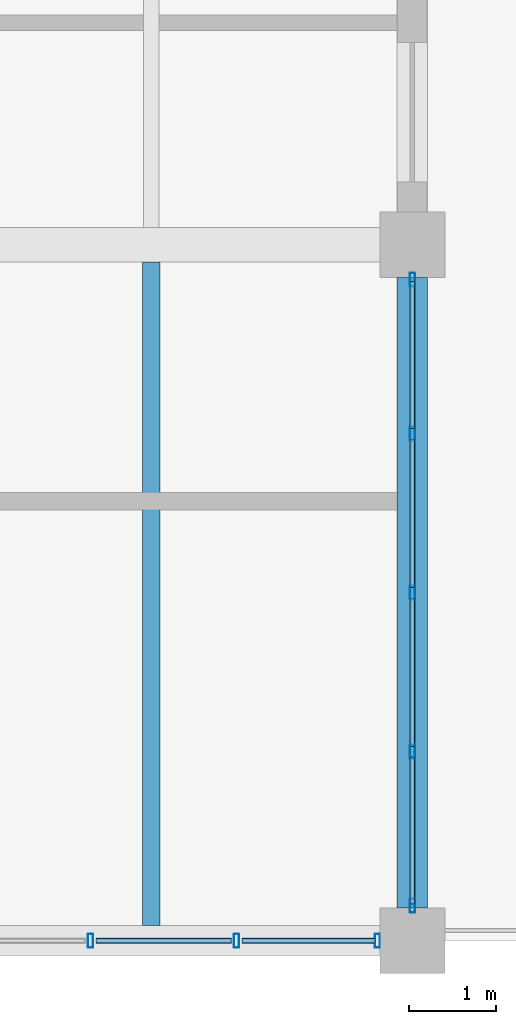
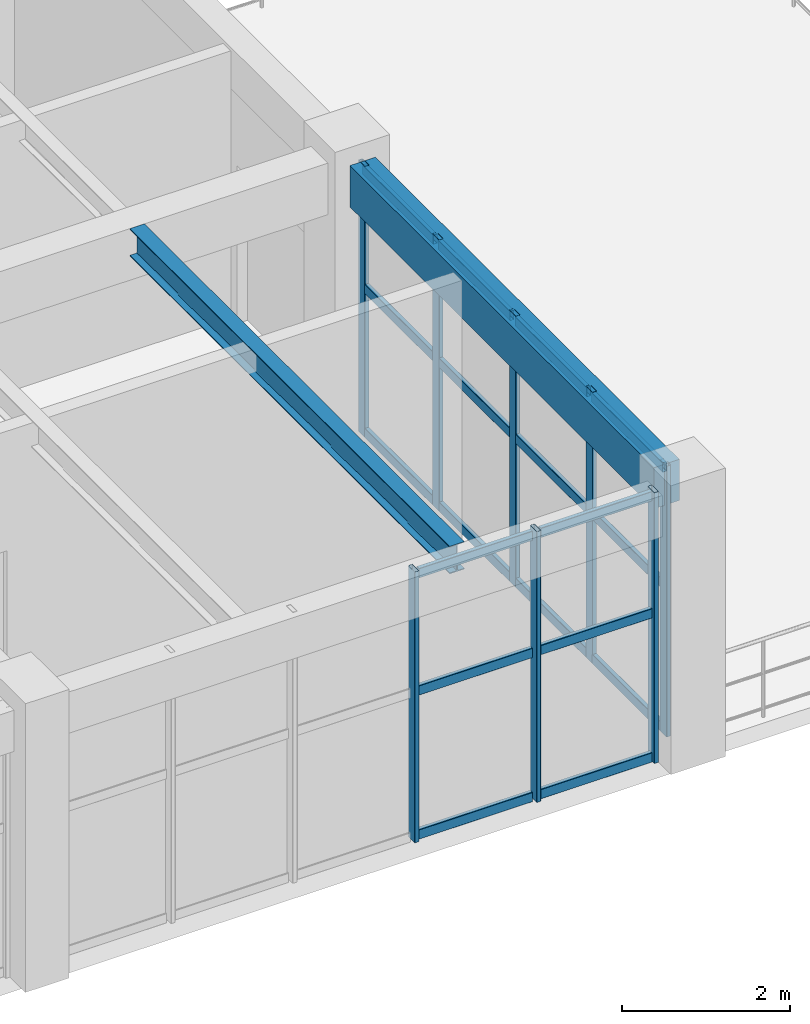
# One storey, part 23 of 148: 26 members, 2 beams, 2 elements without a shape of their own.
"""IFC4 building model written with IfcOpenShell, lengths in metres."""

from ifc_helpers import new_model, si_unit, derived_unit, direction, frame, origin, origin_2d, place, context, subcontext, project, spatial, rectangle, hollow_rectangle, i_section, extrude, material, material_profile, profile_set, type_object, element, aggregate, save


model = new_model("IFC4")

# Units and contexts
model_context = context("Model", 3, precision=1e-05, world=origin(), true_north=direction((0.0, 1.0)))
body_context = subcontext(model_context, "Body", "Model", "MODEL_VIEW")
ifc_project = project(units=[si_unit("LENGTHUNIT", "METRE"), si_unit("AREAUNIT", "SQUARE_METRE"), si_unit("VOLUMEUNIT", "CUBIC_METRE"), si_unit("PLANEANGLEUNIT", "RADIAN"), si_unit("MASSUNIT", "GRAM", prefix="KILO"), derived_unit("THERMALTRANSMITTANCEUNIT", [(si_unit("MASSUNIT", "GRAM", prefix="KILO"), 1), (si_unit("TIMEUNIT", "SECOND"), -3), (si_unit("THERMODYNAMICTEMPERATUREUNIT", "KELVIN"), -1)])], contexts=[model_context])

# Site, building, storey
site_placement = place(None, origin())
site = spatial("IfcSite", under=ifc_project, at=site_placement, CompositionType="ELEMENT")
building_placement = place(site_placement, origin())
building = spatial("IfcBuilding", under=site, at=building_placement, Name="Zhenchuan Archway Interchange", CompositionType="ELEMENT")
storey_placement = place(building_placement, frame((0.0, 0.0, 10.199951171875)))
storey = spatial("IfcBuildingStorey", under=building, at=storey_placement, Name="L02", CompositionType="ELEMENT", Elevation=10.199951171875)

# Curtain wall, members
ifc_material_1 = material(Name="Anodised Aluminium", Category="aluminium")
curtain_wall_type_1 = type_object("IfcCurtainWallType", Name="CW_UNIT_2", PredefinedType="NOTDEFINED", material=ifc_material_1)
curtain_wall_1_placement = place(storey_placement, origin())
curtain_wall_1 = element("IfcCurtainWall", 1, at=curtain_wall_1_placement, inside=storey, type_object=curtain_wall_type_1, Name="Unitised curtain wall CW:L02:105", PredefinedType="NOTDEFINED")
ifc_material_profile_1 = material_profile(ifc_material_1, hollow_rectangle(XDim=0.06005859375, YDim=0.159912109375, WallThickness=0.00390625, InnerFilletRadius=0.00390625, OuterFilletRadius=0.008056640625, at=origin_2d()), Name="ALU 160x60x4")
ifc_profile_set_1 = profile_set([ifc_material_profile_1], Name="Anodised Aluminium")
member_type_1 = type_object("IfcMemberType", Name="CW_MUL_150", PredefinedType="MULLION", material=ifc_profile_set_1)
member_1_placement = place(storey_placement, frame((35.596923828125, 0.0, 0.0), z_axis=(0.0, 0.0, 1.0), x_axis=(1.0, 0.0, 0.0)))
member_1 = element("IfcMember", 2, at=member_1_placement, type_object=member_type_1, Name="CW:L02:105 mullion 0", PredefinedType="MULLION", context=body_context, shape_type="SweptSolid", body=[
    extrude(hollow_rectangle(XDim=0.06005859375, YDim=0.159912109375, WallThickness=0.00390625, InnerFilletRadius=0.00390625, OuterFilletRadius=0.008056640625, at=origin_2d()), origin(), (0.0, 0.0, 1.0), 3.93994140625),
])
member_2_placement = place(storey_placement, frame((33.979248046875, 0.0, 0.0), z_axis=(0.0, 0.0, 1.0), x_axis=(1.0, 0.0, 0.0)))
member_2 = element("IfcMember", 3, at=member_2_placement, type_object=member_type_1, Name="CW:L02:105 mullion 1", PredefinedType="MULLION", context=body_context, shape_type="SweptSolid", body=[
    extrude(hollow_rectangle(XDim=0.06005859375, YDim=0.159912109375, WallThickness=0.00390625, InnerFilletRadius=0.00390625, OuterFilletRadius=0.008056640625, at=origin_2d()), origin(), (0.0, 0.0, 1.0), 3.93994140625),
])
member_3_placement = place(storey_placement, frame((32.301513671875, 0.0, 0.0), z_axis=(0.0, 0.0, 1.0), x_axis=(1.0, 0.0, 0.0)))
member_3 = element("IfcMember", 4, at=member_3_placement, type_object=member_type_1, Name="CW:L02:105 mullion 2", PredefinedType="MULLION", context=body_context, shape_type="SweptSolid", body=[
    extrude(hollow_rectangle(XDim=0.06005859375, YDim=0.159912109375, WallThickness=0.00390625, InnerFilletRadius=0.00390625, OuterFilletRadius=0.008056640625, at=origin_2d()), origin(), (0.0, 0.0, 1.0), 3.93994140625),
])

curtain_wall_type_2 = type_object("IfcCurtainWallType", Name="CW_UNIT_4", PredefinedType="NOTDEFINED", material=ifc_material_1)
curtain_wall_2_placement = place(storey_placement, origin())
curtain_wall_2 = element("IfcCurtainWall", 5, at=curtain_wall_2_placement, inside=storey, type_object=curtain_wall_type_2, Name="Unitised curtain wall CW:L02:115", PredefinedType="NOTDEFINED")
member_4_placement = place(storey_placement, frame((36.0, 7.596923828125, 0.0), z_axis=(0.0, 0.0, 1.0), x_axis=(1.0, 0.0, 0.0)))
member_4 = element("IfcMember", 6, at=member_4_placement, type_object=member_type_1, Name="CW:L02:115 mullion 0", PredefinedType="MULLION", context=body_context, shape_type="SweptSolid", body=[
    extrude(hollow_rectangle(XDim=0.06005859375, YDim=0.159912109375, WallThickness=0.00390625, InnerFilletRadius=0.00390625, OuterFilletRadius=0.008056640625, at=origin_2d()), origin(), (0.0, 0.0, 1.0), 3.93994140625),
])
member_5_placement = place(storey_placement, frame((36.0, 5.82861328125, 0.0), z_axis=(0.0, 0.0, 1.0), x_axis=(1.0, 0.0, 0.0)))
member_5 = element("IfcMember", 7, at=member_5_placement, type_object=member_type_1, Name="CW:L02:115 mullion 1", PredefinedType="MULLION", context=body_context, shape_type="SweptSolid", body=[
    extrude(hollow_rectangle(XDim=0.06005859375, YDim=0.159912109375, WallThickness=0.00390625, InnerFilletRadius=0.00390625, OuterFilletRadius=0.008056640625, at=origin_2d()), origin(), (0.0, 0.0, 1.0), 3.93994140625),
])
member_6_placement = place(storey_placement, frame((36.0, 4.0, 0.0), z_axis=(0.0, 0.0, 1.0), x_axis=(1.0, 0.0, 0.0)))
member_6 = element("IfcMember", 8, at=member_6_placement, type_object=member_type_1, Name="CW:L02:115 mullion 2", PredefinedType="MULLION", context=body_context, shape_type="SweptSolid", body=[
    extrude(hollow_rectangle(XDim=0.06005859375, YDim=0.159912109375, WallThickness=0.00390625, InnerFilletRadius=0.00390625, OuterFilletRadius=0.008056640625, at=origin_2d()), origin(), (0.0, 0.0, 1.0), 3.93994140625),
])
member_7_placement = place(storey_placement, frame((36.0, 2.17138671875, 0.0), z_axis=(0.0, 0.0, 1.0), x_axis=(1.0, 0.0, 0.0)))
member_7 = element("IfcMember", 9, at=member_7_placement, type_object=member_type_1, Name="CW:L02:115 mullion 3", PredefinedType="MULLION", context=body_context, shape_type="SweptSolid", body=[
    extrude(hollow_rectangle(XDim=0.06005859375, YDim=0.159912109375, WallThickness=0.00390625, InnerFilletRadius=0.00390625, OuterFilletRadius=0.008056640625, at=origin_2d()), origin(), (0.0, 0.0, 1.0), 3.93994140625),
])
member_8_placement = place(storey_placement, frame((36.0, 0.403076171875, 0.0), z_axis=(0.0, 0.0, 1.0), x_axis=(1.0, 0.0, 0.0)))
member_8 = element("IfcMember", 10, at=member_8_placement, type_object=member_type_1, Name="CW:L02:115 mullion 4", PredefinedType="MULLION", context=body_context, shape_type="SweptSolid", body=[
    extrude(hollow_rectangle(XDim=0.06005859375, YDim=0.159912109375, WallThickness=0.00390625, InnerFilletRadius=0.00390625, OuterFilletRadius=0.008056640625, at=origin_2d()), origin(), (0.0, 0.0, 1.0), 3.93994140625),
])

# Member
ifc_material_profile_2 = material_profile(ifc_material_1, hollow_rectangle(XDim=0.06005859375, YDim=0.139892578125, WallThickness=0.00341796875, InnerFilletRadius=0.00341796875, OuterFilletRadius=0.007080078125, at=origin_2d()), Name="ALU 140x60x3.5")
ifc_profile_set_2 = profile_set([ifc_material_profile_2], Name="Anodised Aluminium")
member_type_2 = type_object("IfcMemberType", Name="CW_TRN_140", PredefinedType="USERDEFINED", material=ifc_profile_set_2)
member_9_placement = place(storey_placement, frame((35.576904296875, 0.0, 0.06005859375), z_axis=(-1.0, 0.0, 0.0), x_axis=(0.0, -1.0, 0.0)))
member_9 = element("IfcMember", 11, at=member_9_placement, type_object=member_type_2, Name="CW:L02:105 transom 0-1", ObjectType="TRANSOM", PredefinedType="USERDEFINED", context=body_context, shape_type="SweptSolid", body=[
    extrude(hollow_rectangle(XDim=0.06005859375, YDim=0.139892578125, WallThickness=0.00341796875, InnerFilletRadius=0.00341796875, OuterFilletRadius=0.007080078125, at=origin_2d()), origin(), (0.0, 0.0, 1.0), 1.53759765625),
])

member_10_placement = place(storey_placement, frame((35.576904296875, 0.0, 2.156005859375), z_axis=(-1.0, 0.0, 0.0), x_axis=(0.0, -1.0, 0.0)))
member_10 = element("IfcMember", 12, at=member_10_placement, type_object=member_type_2, Name="CW:L02:105 transom 0-2", ObjectType="TRANSOM", PredefinedType="USERDEFINED", context=body_context, shape_type="SweptSolid", body=[
    extrude(hollow_rectangle(XDim=0.06005859375, YDim=0.139892578125, WallThickness=0.00341796875, InnerFilletRadius=0.00341796875, OuterFilletRadius=0.007080078125, at=origin_2d()), origin(), (0.0, 0.0, 1.0), 1.53759765625),
])

member_11_placement = place(storey_placement, frame((35.576904296875, 0.0, 3.860107421875), z_axis=(-1.0, 0.0, 0.0), x_axis=(0.0, -1.0, 0.0)))
member_11 = element("IfcMember", 13, at=member_11_placement, type_object=member_type_2, Name="CW:L02:105 transom 0-3", ObjectType="TRANSOM", PredefinedType="USERDEFINED", context=body_context, shape_type="SweptSolid", body=[
    extrude(hollow_rectangle(XDim=0.06005859375, YDim=0.139892578125, WallThickness=0.00341796875, InnerFilletRadius=0.00341796875, OuterFilletRadius=0.007080078125, at=origin_2d()), origin(), (0.0, 0.0, 1.0), 1.53759765625),
])

member_12_placement = place(storey_placement, frame((33.919189453125, 0.0, 0.06005859375), z_axis=(-1.0, 0.0, 0.0), x_axis=(0.0, -1.0, 0.0)))
member_12 = element("IfcMember", 14, at=member_12_placement, type_object=member_type_2, Name="CW:L02:105 transom 1-1", ObjectType="TRANSOM", PredefinedType="USERDEFINED", context=body_context, shape_type="SweptSolid", body=[
    extrude(hollow_rectangle(XDim=0.06005859375, YDim=0.139892578125, WallThickness=0.00341796875, InnerFilletRadius=0.00341796875, OuterFilletRadius=0.007080078125, at=origin_2d()), origin(), (0.0, 0.0, 1.0), 1.557861328125),
])

member_13_placement = place(storey_placement, frame((33.919189453125, 0.0, 2.156005859375), z_axis=(-1.0, 0.0, 0.0), x_axis=(0.0, -1.0, 0.0)))
member_13 = element("IfcMember", 15, at=member_13_placement, type_object=member_type_2, Name="CW:L02:105 transom 1-2", ObjectType="TRANSOM", PredefinedType="USERDEFINED", context=body_context, shape_type="SweptSolid", body=[
    extrude(hollow_rectangle(XDim=0.06005859375, YDim=0.139892578125, WallThickness=0.00341796875, InnerFilletRadius=0.00341796875, OuterFilletRadius=0.007080078125, at=origin_2d()), origin(), (0.0, 0.0, 1.0), 1.557861328125),
])

member_14_placement = place(storey_placement, frame((33.919189453125, 0.0, 3.860107421875), z_axis=(-1.0, 0.0, 0.0), x_axis=(0.0, -1.0, 0.0)))
member_14 = element("IfcMember", 16, at=member_14_placement, type_object=member_type_2, Name="CW:L02:105 transom 1-3", ObjectType="TRANSOM", PredefinedType="USERDEFINED", context=body_context, shape_type="SweptSolid", body=[
    extrude(hollow_rectangle(XDim=0.06005859375, YDim=0.139892578125, WallThickness=0.00341796875, InnerFilletRadius=0.00341796875, OuterFilletRadius=0.007080078125, at=origin_2d()), origin(), (0.0, 0.0, 1.0), 1.557861328125),
])

aggregate(curtain_wall_1, [member_1, member_2, member_3, member_9, member_10, member_11, member_12, member_13, member_14])

member_15_placement = place(storey_placement, frame((36.0, 7.576904296875, 0.06005859375), z_axis=(0.0, -1.0, 0.0), x_axis=(1.0, 0.0, 0.0)))
member_15 = element("IfcMember", 17, at=member_15_placement, type_object=member_type_2, Name="CW:L02:115 transom 0-1", ObjectType="TRANSOM", PredefinedType="USERDEFINED", context=body_context, shape_type="SweptSolid", body=[
    extrude(hollow_rectangle(XDim=0.06005859375, YDim=0.139892578125, WallThickness=0.00341796875, InnerFilletRadius=0.00341796875, OuterFilletRadius=0.007080078125, at=origin_2d()), origin(), (0.0, 0.0, 1.0), 1.6884765625),
])

member_16_placement = place(storey_placement, frame((36.0, 7.576904296875, 2.156005859375), z_axis=(0.0, -1.0, 0.0), x_axis=(1.0, 0.0, 0.0)))
member_16 = element("IfcMember", 18, at=member_16_placement, type_object=member_type_2, Name="CW:L02:115 transom 0-2", ObjectType="TRANSOM", PredefinedType="USERDEFINED", context=body_context, shape_type="SweptSolid", body=[
    extrude(hollow_rectangle(XDim=0.06005859375, YDim=0.139892578125, WallThickness=0.00341796875, InnerFilletRadius=0.00341796875, OuterFilletRadius=0.007080078125, at=origin_2d()), origin(), (0.0, 0.0, 1.0), 1.6884765625),
])

member_17_placement = place(storey_placement, frame((36.0, 7.576904296875, 3.860107421875), z_axis=(0.0, -1.0, 0.0), x_axis=(1.0, 0.0, 0.0)))
member_17 = element("IfcMember", 19, at=member_17_placement, type_object=member_type_2, Name="CW:L02:115 transom 0-3", ObjectType="TRANSOM", PredefinedType="USERDEFINED", context=body_context, shape_type="SweptSolid", body=[
    extrude(hollow_rectangle(XDim=0.06005859375, YDim=0.139892578125, WallThickness=0.00341796875, InnerFilletRadius=0.00341796875, OuterFilletRadius=0.007080078125, at=origin_2d()), origin(), (0.0, 0.0, 1.0), 1.6884765625),
])

member_18_placement = place(storey_placement, frame((36.0, 5.7685546875, 0.06005859375), z_axis=(0.0, -1.0, 0.0), x_axis=(1.0, 0.0, 0.0)))
member_18 = element("IfcMember", 20, at=member_18_placement, type_object=member_type_2, Name="CW:L02:115 transom 1-1", ObjectType="TRANSOM", PredefinedType="USERDEFINED", context=body_context, shape_type="SweptSolid", body=[
    extrude(hollow_rectangle(XDim=0.06005859375, YDim=0.139892578125, WallThickness=0.00341796875, InnerFilletRadius=0.00341796875, OuterFilletRadius=0.007080078125, at=origin_2d()), origin(), (0.0, 0.0, 1.0), 1.70849609375),
])

member_19_placement = place(storey_placement, frame((36.0, 5.7685546875, 2.156005859375), z_axis=(0.0, -1.0, 0.0), x_axis=(1.0, 0.0, 0.0)))
member_19 = element("IfcMember", 21, at=member_19_placement, type_object=member_type_2, Name="CW:L02:115 transom 1-2", ObjectType="TRANSOM", PredefinedType="USERDEFINED", context=body_context, shape_type="SweptSolid", body=[
    extrude(hollow_rectangle(XDim=0.06005859375, YDim=0.139892578125, WallThickness=0.00341796875, InnerFilletRadius=0.00341796875, OuterFilletRadius=0.007080078125, at=origin_2d()), origin(), (0.0, 0.0, 1.0), 1.70849609375),
])

member_20_placement = place(storey_placement, frame((36.0, 5.7685546875, 3.860107421875), z_axis=(0.0, -1.0, 0.0), x_axis=(1.0, 0.0, 0.0)))
member_20 = element("IfcMember", 22, at=member_20_placement, type_object=member_type_2, Name="CW:L02:115 transom 1-3", ObjectType="TRANSOM", PredefinedType="USERDEFINED", context=body_context, shape_type="SweptSolid", body=[
    extrude(hollow_rectangle(XDim=0.06005859375, YDim=0.139892578125, WallThickness=0.00341796875, InnerFilletRadius=0.00341796875, OuterFilletRadius=0.007080078125, at=origin_2d()), origin(), (0.0, 0.0, 1.0), 1.70849609375),
])

member_21_placement = place(storey_placement, frame((36.0, 3.93994140625, 0.06005859375), z_axis=(0.0, -1.0, 0.0), x_axis=(1.0, 0.0, 0.0)))
member_21 = element("IfcMember", 23, at=member_21_placement, type_object=member_type_2, Name="CW:L02:115 transom 2-1", ObjectType="TRANSOM", PredefinedType="USERDEFINED", context=body_context, shape_type="SweptSolid", body=[
    extrude(hollow_rectangle(XDim=0.06005859375, YDim=0.139892578125, WallThickness=0.00341796875, InnerFilletRadius=0.00341796875, OuterFilletRadius=0.007080078125, at=origin_2d()), origin(), (0.0, 0.0, 1.0), 1.70849609375),
])

member_22_placement = place(storey_placement, frame((36.0, 3.93994140625, 2.156005859375), z_axis=(0.0, -1.0, 0.0), x_axis=(1.0, 0.0, 0.0)))
member_22 = element("IfcMember", 24, at=member_22_placement, type_object=member_type_2, Name="CW:L02:115 transom 2-2", ObjectType="TRANSOM", PredefinedType="USERDEFINED", context=body_context, shape_type="SweptSolid", body=[
    extrude(hollow_rectangle(XDim=0.06005859375, YDim=0.139892578125, WallThickness=0.00341796875, InnerFilletRadius=0.00341796875, OuterFilletRadius=0.007080078125, at=origin_2d()), origin(), (0.0, 0.0, 1.0), 1.70849609375),
])

member_23_placement = place(storey_placement, frame((36.0, 3.93994140625, 3.860107421875), z_axis=(0.0, -1.0, 0.0), x_axis=(1.0, 0.0, 0.0)))
member_23 = element("IfcMember", 25, at=member_23_placement, type_object=member_type_2, Name="CW:L02:115 transom 2-3", ObjectType="TRANSOM", PredefinedType="USERDEFINED", context=body_context, shape_type="SweptSolid", body=[
    extrude(hollow_rectangle(XDim=0.06005859375, YDim=0.139892578125, WallThickness=0.00341796875, InnerFilletRadius=0.00341796875, OuterFilletRadius=0.007080078125, at=origin_2d()), origin(), (0.0, 0.0, 1.0), 1.70849609375),
])

member_24_placement = place(storey_placement, frame((36.0, 2.111572265625, 0.06005859375), z_axis=(0.0, -1.0, 0.0), x_axis=(1.0, 0.0, 0.0)))
member_24 = element("IfcMember", 26, at=member_24_placement, type_object=member_type_2, Name="CW:L02:115 transom 3-1", ObjectType="TRANSOM", PredefinedType="USERDEFINED", context=body_context, shape_type="SweptSolid", body=[
    extrude(hollow_rectangle(XDim=0.06005859375, YDim=0.139892578125, WallThickness=0.00341796875, InnerFilletRadius=0.00341796875, OuterFilletRadius=0.007080078125, at=origin_2d()), origin(), (0.0, 0.0, 1.0), 1.6884765625),
])

member_25_placement = place(storey_placement, frame((36.0, 2.111572265625, 2.156005859375), z_axis=(0.0, -1.0, 0.0), x_axis=(1.0, 0.0, 0.0)))
member_25 = element("IfcMember", 27, at=member_25_placement, type_object=member_type_2, Name="CW:L02:115 transom 3-2", ObjectType="TRANSOM", PredefinedType="USERDEFINED", context=body_context, shape_type="SweptSolid", body=[
    extrude(hollow_rectangle(XDim=0.06005859375, YDim=0.139892578125, WallThickness=0.00341796875, InnerFilletRadius=0.00341796875, OuterFilletRadius=0.007080078125, at=origin_2d()), origin(), (0.0, 0.0, 1.0), 1.6884765625),
])

member_26_placement = place(storey_placement, frame((36.0, 2.111572265625, 3.860107421875), z_axis=(0.0, -1.0, 0.0), x_axis=(1.0, 0.0, 0.0)))
member_26 = element("IfcMember", 28, at=member_26_placement, type_object=member_type_2, Name="CW:L02:115 transom 3-3", ObjectType="TRANSOM", PredefinedType="USERDEFINED", context=body_context, shape_type="SweptSolid", body=[
    extrude(hollow_rectangle(XDim=0.06005859375, YDim=0.139892578125, WallThickness=0.00341796875, InnerFilletRadius=0.00341796875, OuterFilletRadius=0.007080078125, at=origin_2d()), origin(), (0.0, 0.0, 1.0), 1.6884765625),
])

aggregate(curtain_wall_2, [member_4, member_5, member_6, member_7, member_8, member_15, member_16, member_17, member_18, member_19, member_20, member_21, member_22, member_23, member_24, member_25, member_26])

# Beams
ifc_material_2 = material(Name="Steel Q355", Category="steel")
ifc_material_profile_3 = material_profile(ifc_material_2, i_section(OverallWidth=0.199951171875, OverallDepth=0.39990234375, WebThickness=0.008056640625, FlangeThickness=0.012939453125, FilletRadius=0.01611328125, at=origin_2d()), Name="HN 400x200")
ifc_profile_set_3 = profile_set([ifc_material_profile_3], Name="Steel Q355")
beam_type_1 = type_object("IfcBeamType", Name="JST_STL_HN400", PredefinedType="JOIST", material=ifc_profile_set_3)
beam_1_placement = place(storey_placement, frame((33.0, 0.175048828125, 3.739990234375), z_axis=(0.0, 1.0, 0.0), x_axis=(-1.0, 0.0, 0.0)))
element("IfcBeam", 29, at=beam_1_placement, inside=storey, type_object=beam_type_1, Name="Secondary joist 4-5/A-B #2 (L02)", PredefinedType="JOIST", context=body_context, shape_type="SweptSolid", body=[
    extrude(i_section(OverallWidth=0.199951171875, OverallDepth=0.39990234375, WebThickness=0.008056640625, FlangeThickness=0.012939453125, FilletRadius=0.01611328125, at=origin_2d()), origin(), (0.0, 0.0, 1.0), 7.625),
])
ifc_material_3 = material(Name="Concrete C40", Category="concrete")
ifc_material_profile_4 = material_profile(ifc_material_3, rectangle(XDim=0.35009765625, YDim=0.60009765625, at=origin_2d()), Name="RC 350x600")
ifc_profile_set_4 = profile_set([ifc_material_profile_4], Name="Concrete C40")
beam_type_2 = type_object("IfcBeamType", Name="SP_RC_350x600", PredefinedType="SPANDREL", material=ifc_profile_set_4)
beam_2_placement = place(storey_placement, frame((36.0, 0.375, 3.64013671875), z_axis=(0.0, 1.0, 0.0), x_axis=(-1.0, 0.0, 0.0)))
element("IfcBeam", 30, at=beam_2_placement, inside=storey, type_object=beam_type_2, Name="Beam 5:A-B (L02)", PredefinedType="SPANDREL", context=body_context, shape_type="SweptSolid", body=[
    extrude(rectangle(XDim=0.35009765625, YDim=0.60009765625, at=origin_2d()), origin(), (0.0, 0.0, 1.0), 7.25),
])

save(model, "model.ifc")
